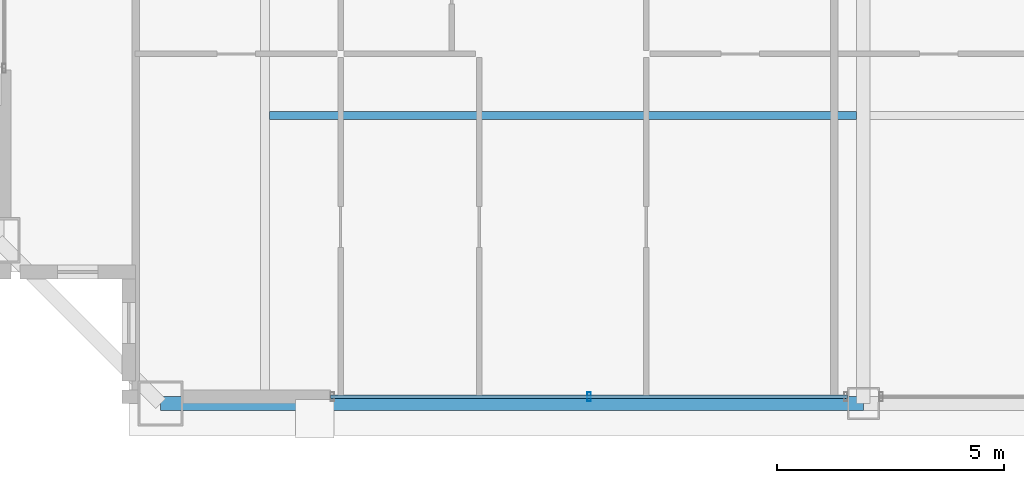
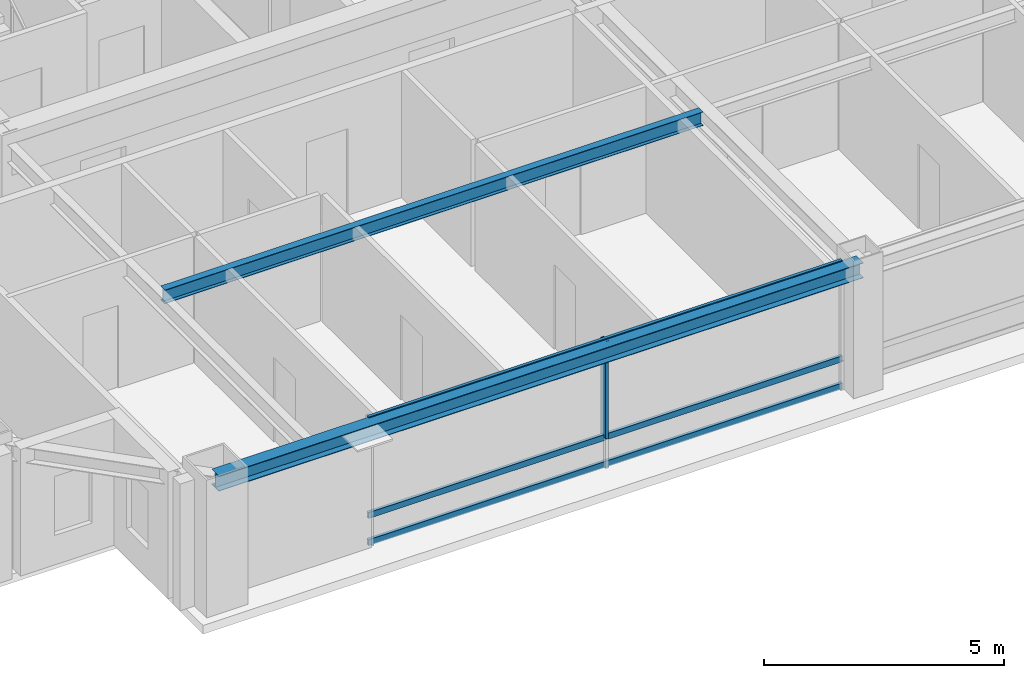
# One storey, part 5 of 35: 4 members, 2 beams, 1 element without a shape of its own.
"""IFC4 building model written with IfcOpenShell, lengths in metres."""

from ifc_helpers import new_model, si_unit, direction, frame, origin, origin_2d, place, context, subcontext, project, spatial, hollow_rectangle, i_section, extrude, source, transform, mapped, material, layer, layer_set, material_profile, profile_set, type_object, element, aggregate, save


model = new_model("IFC4")

# Units and contexts
model_context = context("Model", 3, precision=1e-05, world=origin(), true_north=direction((0.0, 1.0)))
body_context = subcontext(model_context, "Body", "Model", "MODEL_VIEW")
ifc_project = project(units=[si_unit("LENGTHUNIT", "METRE"), si_unit("AREAUNIT", "SQUARE_METRE"), si_unit("VOLUMEUNIT", "CUBIC_METRE"), si_unit("PLANEANGLEUNIT", "RADIAN"), si_unit("MASSUNIT", "GRAM", prefix="KILO"), si_unit("THERMODYNAMICTEMPERATUREUNIT", "KELVIN"), si_unit("POWERUNIT", "WATT")], contexts=[model_context])

# Site, building, storey
site_placement = place(None, origin())
site = spatial("IfcSite", under=ifc_project, at=site_placement, CompositionType="ELEMENT")
building_placement = place(site_placement, origin())
building = spatial("IfcBuilding", under=site, at=building_placement, Name="Yuzanri Waterfront Tower", CompositionType="ELEMENT")
storey_placement = place(building_placement, frame((0.0, 0.0, 303.10009765625)))
storey = spatial("IfcBuildingStorey", under=building, at=storey_placement, Name="L81", CompositionType="ELEMENT", Elevation=303.10009765625)

# Beams
ifc_material_1 = material(Name="Steel Q355B", Category="steel")
ifc_material_profile_1 = material_profile(ifc_material_1, i_section(OverallWidth=0.175048828125, OverallDepth=0.35009765625, WebThickness=0.007080078125, FlangeThickness=0.010986328125, at=origin_2d()), Name="HN 350x175x7x11")
ifc_profile_set_1 = profile_set([ifc_material_profile_1], Name="Steel Q355B")
beam_type_1 = type_object("IfcBeamType", Name="Floor Joist Q355B HN 350x175", PredefinedType="JOIST", material=ifc_profile_set_1)
shared_shape_1 = source(origin(), body_context, "Body", "SweptSolid", [
    extrude(i_section(OverallWidth=0.175048828125, OverallDepth=0.35009765625, WebThickness=0.007080078125, FlangeThickness=0.010986328125, at=origin_2d()), origin(), (0.0, 0.0, 1.0), 12.9501953125),
])
beam_1_placement = place(storey_placement, frame((23.89990234375, 13.050048828125, 3.044921875), z_axis=(1.0, 0.0, 0.0), x_axis=(0.0, 1.0, 0.0)))
element("IfcBeam", 1, at=beam_1_placement, inside=storey, type_object=beam_type_1, Name="L81 South Bay Joist W", PredefinedType="JOIST", context=body_context, shape_type="MappedRepresentation", body=[
    mapped(shared_shape_1, transform((0.0, 0.0, 0.0), scale=1.0)),
])
ifc_material_2 = material(Name="Steel Q355B", Category="steel")
ifc_material_profile_2 = material_profile(ifc_material_2, i_section(OverallWidth=0.300048828125, OverallDepth=0.389892578125, WebThickness=0.010009765625, FlangeThickness=0.01611328125, at=origin_2d()), Name="HM 390x300x10x16")
ifc_profile_set_2 = profile_set([ifc_material_profile_2], Name="Steel Q355B")
beam_type_2 = type_object("IfcBeamType", Name="Perimeter Spandrel Q355B HM 390x300", PredefinedType="SPANDREL", material=ifc_profile_set_2)
shared_shape_2 = source(origin(), body_context, "Body", "SweptSolid", [
    extrude(i_section(OverallWidth=0.300048828125, OverallDepth=0.389892578125, WebThickness=0.010009765625, FlangeThickness=0.01611328125, at=origin_2d()), origin(), (0.0, 0.0, 1.0), 15.5),
])
beam_2_placement = place(storey_placement, frame((21.5, 6.699951171875, 3.02490234375), z_axis=(1.0, 0.0, 0.0), x_axis=(0.0, 1.0, 0.0)))
element("IfcBeam", 2, at=beam_2_placement, inside=storey, type_object=beam_type_2, Name="L81 Perimeter Spandrel S1-S2", PredefinedType="SPANDREL", context=body_context, shape_type="MappedRepresentation", body=[
    mapped(shared_shape_2, transform((0.0, 0.0, 0.0), scale=1.0)),
])

# Curtain wall, members
ifc_material_3 = material(Name="Anodized Architectural Bronze", Category="metal")
ifc_layer = layer(ifc_material_3, 0.159912109375)
ifc_layer_set = layer_set([ifc_layer], Name="Anodized Architectural Bronze")
curtain_wall_type = type_object("IfcCurtainWallType", Name="Anodized Bronze High-Rise Penthouse High-Wind Unitized Curtain Wall 6900", PredefinedType="NOTDEFINED", material=ifc_layer_set)
curtain_wall_placement = place(storey_placement, origin())
curtain_wall = element("IfcCurtainWall", 3, at=curtain_wall_placement, inside=storey, type_object=curtain_wall_type, Name="L81 Curtain Wall CW-L81-SL", PredefinedType="NOTDEFINED")
ifc_material_4 = material(Name="Anodized Architectural Bronze", Category="metal")
ifc_material_profile_3 = material_profile(ifc_material_4, hollow_rectangle(XDim=0.074951171875, YDim=0.14990234375, WallThickness=0.00390625, at=origin_2d()), Name="CWT 75x150")
ifc_profile_set_3 = profile_set([ifc_material_profile_3], Name="Anodized Architectural Bronze")
member_type_1 = type_object("IfcMemberType", Name="Anodized Bronze Primary Curtain-Wall Transom 75x150", PredefinedType="USERDEFINED", material=ifc_profile_set_3)
shared_shape_3 = source(origin(), body_context, "Body", "SweptSolid", [
    extrude(hollow_rectangle(XDim=0.074951171875, YDim=0.14990234375, WallThickness=0.00390625, at=origin_2d()), origin(), (0.0, 0.0, 1.0), 11.39990234375),
])
member_1_placement = place(storey_placement, frame((25.25, 6.85009765625, 0.0498046875), z_axis=(1.0, 0.0, 0.0), x_axis=(0.0, 1.0, 0.0)))
member_1 = element("IfcMember", 4, at=member_1_placement, type_object=member_type_1, Name="CW-L81-SL Transom 1", ObjectType="TRANSOM", PredefinedType="USERDEFINED", context=body_context, shape_type="MappedRepresentation", body=[
    mapped(shared_shape_3, transform((0.0, 0.0, 0.0), scale=1.0)),
])
member_2_placement = place(storey_placement, frame((25.25, 6.85009765625, 0.740966796875), z_axis=(1.0, 0.0, 0.0), x_axis=(0.0, 1.0, 0.0)))
member_2 = element("IfcMember", 5, at=member_2_placement, type_object=member_type_1, Name="CW-L81-SL Transom 2", ObjectType="TRANSOM", PredefinedType="USERDEFINED", context=body_context, shape_type="MappedRepresentation", body=[
    mapped(shared_shape_3, transform((0.0, 0.0, 0.0), scale=1.0)),
])
member_3_placement = place(storey_placement, frame((25.25, 6.85009765625, 3.169921875), z_axis=(1.0, 0.0, 0.0), x_axis=(0.0, 1.0, 0.0)))
member_3 = element("IfcMember", 6, at=member_3_placement, type_object=member_type_1, Name="CW-L81-SL Transom 3", ObjectType="TRANSOM", PredefinedType="USERDEFINED", context=body_context, shape_type="MappedRepresentation", body=[
    mapped(shared_shape_3, transform((0.0, 0.0, 0.0), scale=1.0)),
])
ifc_material_5 = material(Name="Anodized Architectural Bronze", Category="metal")
ifc_material_profile_4 = material_profile(ifc_material_5, hollow_rectangle(XDim=0.074951171875, YDim=0.199951171875, WallThickness=0.00390625, at=origin_2d()), Name="CWM 75x200")
ifc_profile_set_4 = profile_set([ifc_material_profile_4], Name="Anodized Architectural Bronze")
member_type_2 = type_object("IfcMemberType", Name="Anodized Bronze Primary Curtain-Wall Mullion 75x200", PredefinedType="MULLION", material=ifc_profile_set_4)
shared_shape_4 = source(origin(), body_context, "Body", "SweptSolid", [
    extrude(hollow_rectangle(XDim=0.074951171875, YDim=0.199951171875, WallThickness=0.00390625, at=origin_2d()), origin(), (0.0, 0.0, 1.0), 2.47705078125),
])
member_4_placement = place(storey_placement, frame((30.949951171875, 6.85009765625, 0.742919921875), z_axis=(0.0, 0.0, 1.0), x_axis=(1.0, 0.0, 0.0)))
member_4 = element("IfcMember", 7, at=member_4_placement, type_object=member_type_2, Name="CW-L81-SL Upper Mullion 01", PredefinedType="MULLION", context=body_context, shape_type="MappedRepresentation", body=[
    mapped(shared_shape_4, transform((0.0, 0.0, 0.0), scale=1.0)),
])
aggregate(curtain_wall, [member_4, member_1, member_2, member_3])

save(model, "model.ifc")
